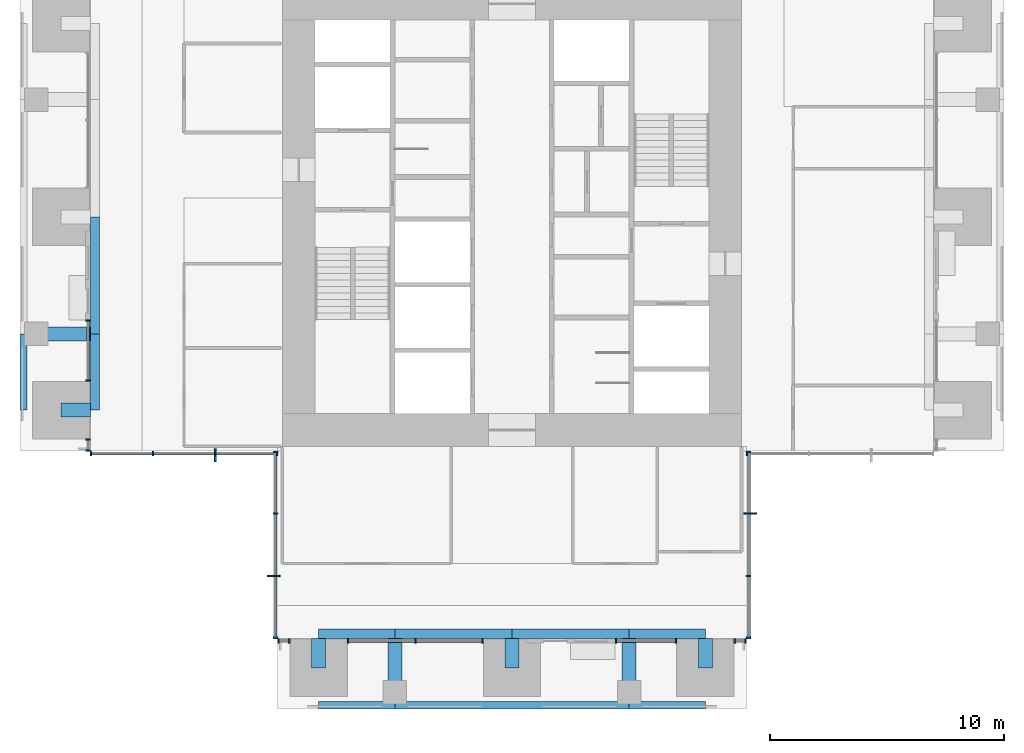
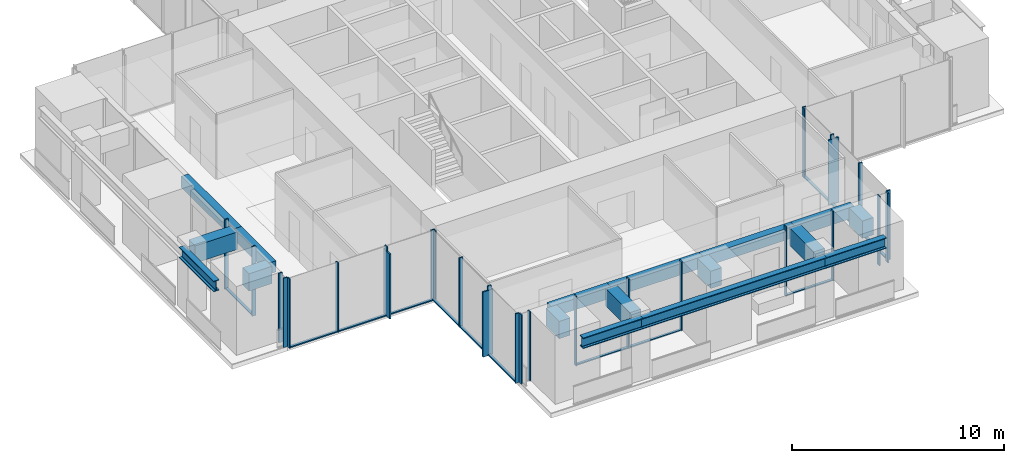
# One storey, part 2 of 17: 42 members, 17 beams, 10 elements without a shape of their own.
"""IFC4 building model written with IfcOpenShell, lengths in metres."""

import ifcopenshell
import ifcopenshell.guid

model = None  # the IFC model being written
_history = None  # IfcOwnerHistory: only IFC2X3 demands one
_inside = {}  # id of a spatial element -> (the spatial element, [elements in it])
_under = {}  # id of a project, library or spatial element -> (it, [spatial elements below it])
_declared = {}  # id of a project -> (the project, [libraries it declares])
_typed = {}  # id of a type object -> (the type object, [elements of that type])
_made_of = {}  # id of a material, layer set ... -> (it, [elements and type objects made of it])


def new_model(schema):
    """Start an empty IFC model of exactly this schema.

    Asked for "IFC4X3", IfcOpenShell would pick the latest addendum, in which some entities
    have other attributes; the version numbers below select the first issue.
    IFC2X3 requires an IfcOwnerHistory on every rooted entity: one is made here for all.
    """
    global model, _history
    if schema == "IFC4X3":
        model = ifcopenshell.file(schema_version=(4, 3, 0, 0))
    else:
        model = ifcopenshell.file(schema=schema)
    _inside.clear()
    _under.clear()
    _declared.clear()
    _typed.clear()
    _made_of.clear()
    _history = None
    if model.schema == "IFC2X3":
        org = make("IfcOrganization", Name="unknown")
        user = make(
            "IfcPersonAndOrganization",
            ThePerson=make("IfcPerson", FamilyName="unknown"),
            TheOrganization=org,
        )
        app = make(
            "IfcApplication",
            ApplicationDeveloper=org,
            Version="unknown",
            ApplicationFullName="unknown",
            ApplicationIdentifier="unknown",
        )
        _history = make(
            "IfcOwnerHistory",
            OwningUser=user,
            OwningApplication=app,
            ChangeAction="ADDED",
            CreationDate=0,
        )
    return model


def make(cls, **values):
    """One entity of the class cls with the attributes given. An attribute that is None is left unset."""
    return model.create_entity(
        cls, **{name: value for name, value in values.items() if value is not None}
    )


def rooted(cls, **values):
    """An entity with a GlobalId (a new one), such as an element, a storey or a relation."""
    return make(cls, GlobalId=ifcopenshell.guid.new(), OwnerHistory=_history, **values)


def si_unit(unit_type, name, prefix=None):
    """IfcSIUnit, for example si_unit("LENGTHUNIT", "METRE", prefix="MILLI")."""
    return make("IfcSIUnit", UnitType=unit_type, Prefix=prefix, Name=name)


def assignment(units):
    """IfcUnitAssignment: the units of a project."""
    return None if units is None else make("IfcUnitAssignment", Units=units)


def point(xyz):
    """IfcCartesianPoint."""
    return None if xyz is None else make("IfcCartesianPoint", Coordinates=xyz)


def direction(xyz):
    """IfcDirection."""
    return None if xyz is None else make("IfcDirection", DirectionRatios=xyz)


def frame(location, z_axis=None, x_axis=None):
    """IfcAxis2Placement3D, a coordinate frame: its origin and axes. An axis left out is left unset."""
    return make(
        "IfcAxis2Placement3D",
        Location=point(location),
        Axis=direction(z_axis),
        RefDirection=direction(x_axis),
    )


def frame_2d(location, x_axis=None):
    """IfcAxis2Placement2D, a coordinate frame in the plane: its origin and x axis."""
    return make(
        "IfcAxis2Placement2D", Location=point(location), RefDirection=direction(x_axis)
    )


def origin():
    """The frame at (0, 0, 0) with its axes left unset."""
    return frame((0.0, 0.0, 0.0))


def origin_2d():
    """The frame at (0, 0) in the plane with its x axis left unset."""
    return frame_2d((0.0, 0.0))


def place(relative_to, where):
    """IfcLocalPlacement: puts the frame where relative to a parent placement (None: the world)."""
    return make(
        "IfcLocalPlacement", PlacementRelTo=relative_to, RelativePlacement=where
    )


def context(
    kind, dimensions, precision=None, world=None, true_north=None, identifier=None
):
    """IfcGeometricRepresentationContext, for example the 3D "Model" context."""
    return make(
        "IfcGeometricRepresentationContext",
        ContextIdentifier=identifier,
        ContextType=kind,
        CoordinateSpaceDimension=dimensions,
        Precision=precision,
        WorldCoordinateSystem=world,
        TrueNorth=true_north,
    )


def subcontext(parent, identifier, kind, view, scale=None):
    """IfcGeometricRepresentationSubContext, for example "Body" below "Model"."""
    return make(
        "IfcGeometricRepresentationSubContext",
        ContextIdentifier=identifier,
        ContextType=kind,
        ParentContext=parent,
        TargetScale=scale,
        TargetView=view,
    )


def project(units=None, contexts=None):
    """IfcProject with its units and contexts."""
    return rooted(
        "IfcProject",
        Name="project",
        RepresentationContexts=contexts,
        UnitsInContext=assignment(units),
    )


def spatial(cls, under=None, at=None, **own):
    """A site, building, storey or space (cls), placed at a placement, below another one or the project."""
    s = rooted(cls, ObjectPlacement=at, **own)
    if under is not None:
        _under.setdefault(under.id(), (under, []))[1].append(s)
    return s


def profile(cls, at=None, kind="AREA", **sizes):
    """A parametric profile (cls). Its sizes go by their IFC names, for example OverallWidth=200.0."""
    return make(cls, ProfileType=kind, Position=at, **sizes)


def rectangle(**sizes):
    """IfcRectangleProfileDef."""
    return profile("IfcRectangleProfileDef", **sizes)


def i_section(**sizes):
    """IfcIShapeProfileDef."""
    return profile("IfcIShapeProfileDef", **sizes)


def extrude(swept, where, along, depth):
    """IfcExtrudedAreaSolid: the profile swept, set in the frame where, extruded along a direction by depth."""
    return make(
        "IfcExtrudedAreaSolid",
        SweptArea=swept,
        Position=where,
        ExtrudedDirection=direction(along),
        Depth=depth,
    )


def shape(context_of_items, identifier, shape_type, items):
    """IfcShapeRepresentation: the items that make up one representation, for example the "Body"."""
    return make(
        "IfcShapeRepresentation",
        ContextOfItems=context_of_items,
        RepresentationIdentifier=identifier,
        RepresentationType=shape_type,
        Items=items,
    )


def material(Name=None, Category=None):
    """IfcMaterial."""
    return make("IfcMaterial", Name=Name, Category=Category)


def material_profile(
    of_material, cross_section, Name=None, Category=None, Priority=None
):
    """IfcMaterialProfile: a cross section and its material."""
    return make(
        "IfcMaterialProfile",
        Name=Name,
        Material=of_material,
        Profile=cross_section,
        Priority=Priority,
        Category=Category,
    )


def profile_set(profiles, Name=None, composite=None):
    """IfcMaterialProfileSet."""
    return make(
        "IfcMaterialProfileSet",
        Name=Name,
        MaterialProfiles=profiles,
        CompositeProfile=composite,
    )


def made_of(thing, what):
    """Note that an element or type object is made of a material, layer set ...; save() writes the relation."""
    if what is not None:
        _made_of.setdefault(what.id(), (what, []))[1].append(thing)
    return thing


def type_object(cls, material=None, **own):
    """A type object (cls), such as IfcWallType, which elements share."""
    return made_of(rooted(cls, **own), material)


def element(
    cls,
    number,
    at=None,
    inside=None,
    cuts=None,
    type_object=None,
    material=None,
    context=None,
    identifier="Body",
    shape_type=None,
    held_by="IfcProductDefinitionShape",
    body=None,
    shapes=None,
    **own,
):
    """One element of the class cls, such as IfcWall. Its Tag is "e" and its number.

    at: its placement. inside: the storey or other place that contains it. cuts: it is an
    opening in that element (IfcRelVoidsElement). A single representation is given by context,
    identifier, shape_type and body (its items); several are given by shapes. held_by: the class
    of the entity that holds the representations. save() writes the other relations.
    """
    e = rooted(cls, Tag="e%d" % number, ObjectPlacement=at, **own)
    if body is not None:
        shapes = [shape(context, identifier, shape_type, body)]
    if shapes is not None:
        e.Representation = make(held_by, Representations=shapes)
    if inside is not None:
        _inside.setdefault(inside.id(), (inside, []))[1].append(e)
    if cuts is not None:
        rooted(
            "IfcRelVoidsElement", RelatingBuildingElement=cuts, RelatedOpeningElement=e
        )
    if type_object is not None:
        _typed.setdefault(type_object.id(), (type_object, []))[1].append(e)
    return made_of(e, material)


def aggregate(whole, parts):
    """IfcRelAggregates: a whole, such as a stair, and the parts it consists of."""
    return rooted("IfcRelAggregates", RelatingObject=whole, RelatedObjects=parts)


def save(model, path):
    """Write the relations noted so far, then the file.

    IfcRelAggregates (storeys below a building ...), IfcRelContainedInSpatialStructure (elements
    in a storey), IfcRelDefinesByType, IfcRelAssociatesMaterial and IfcRelDeclares: one each for
    every whole, place, type object, material and project.
    """
    for whole, parts in _under.values():
        aggregate(whole, parts)
    for where, things in _inside.values():
        rooted(
            "IfcRelContainedInSpatialStructure",
            RelatedElements=things,
            RelatingStructure=where,
        )
    for kind, things in _typed.values():
        rooted("IfcRelDefinesByType", RelatedObjects=things, RelatingType=kind)
    for what, things in _made_of.values():
        rooted("IfcRelAssociatesMaterial", RelatedObjects=things, RelatingMaterial=what)
    for by, libraries in _declared.values():
        rooted("IfcRelDeclares", RelatingContext=by, RelatedDefinitions=libraries)
    model.write(path)


model = new_model("IFC4")

# Units and contexts
model_context = context("Model", 3, precision=1e-05, world=origin(), true_north=direction((0.0, 1.0)))
body_context = subcontext(model_context, "Body", "Model", "MODEL_VIEW")
ifc_project = project(units=[si_unit("LENGTHUNIT", "METRE"), si_unit("AREAUNIT", "SQUARE_METRE"), si_unit("VOLUMEUNIT", "CUBIC_METRE"), si_unit("PLANEANGLEUNIT", "RADIAN"), si_unit("MASSUNIT", "GRAM", prefix="KILO")], contexts=[model_context])

# Site, building, storey
site_placement = place(None, origin())
site = spatial("IfcSite", under=ifc_project, at=site_placement, CompositionType="ELEMENT")
building_placement = place(site_placement, origin())
building = spatial("IfcBuilding", under=site, at=building_placement, Name="Svetlomir Tower", CompositionType="ELEMENT")
storey_placement = place(building_placement, frame((0.0, 0.0, 178.5)))
storey = spatial("IfcBuildingStorey", under=building, at=storey_placement, Name="L42", CompositionType="ELEMENT", Elevation=178.5)

# Curtain wall, member
ifc_material_1 = material(Name="Bronze anodised aluminium curtain wall", Category="aluminium")
curtain_wall_type = type_object("IfcCurtainWallType", Name="CURTAIN WALL CW1 TOWER OFFICE", PredefinedType="NOTDEFINED", material=ifc_material_1)
curtain_wall_1_placement = place(storey_placement, origin())
curtain_wall_1 = element("IfcCurtainWall", 1, at=curtain_wall_1_placement, inside=storey, type_object=curtain_wall_type, Name="Curtain wall CW1 L42", PredefinedType="NOTDEFINED")
ifc_material_2 = material(Name="Bronze anodised aluminium", Category="aluminium")
ifc_material_profile_1 = material_profile(ifc_material_2, rectangle(XDim=0.080078125, YDim=0.550048828125, at=origin_2d()), Name="FIN 80x550")
ifc_profile_set_1 = profile_set([ifc_material_profile_1], Name="Bronze anodised aluminium 6063-T6")
member_type_1 = type_object("IfcMemberType", Name="BRONZE FIN 80x550", PredefinedType="USERDEFINED", material=ifc_profile_set_1)
member_1_placement = place(storey_placement, frame((31.175048828125, 8.333251953125, 0.0), z_axis=(0.0, 0.0, 1.0), x_axis=(0.0, 1.0, 0.0)))
member_1 = element("IfcMember", 2, at=member_1_placement, type_object=member_type_1, Name="Bronze fin L42", ObjectType="FIN", PredefinedType="USERDEFINED", context=body_context, shape_type="SweptSolid", body=[
    extrude(rectangle(XDim=0.080078125, YDim=0.550048828125, at=origin_2d()), origin(), (0.0, 0.0, 1.0), 3.75),
])

curtain_wall_2_placement = place(storey_placement, origin())
curtain_wall_2 = element("IfcCurtainWall", 3, at=curtain_wall_2_placement, inside=storey, type_object=curtain_wall_type, Name="Curtain wall CW1 L42", PredefinedType="NOTDEFINED")
member_2_placement = place(storey_placement, frame((8.333251953125, 10.824951171875, 0.0), z_axis=(0.0, 0.0, 1.0), x_axis=(1.0, 0.0, 0.0)))
member_2 = element("IfcMember", 4, at=member_2_placement, type_object=member_type_1, Name="Bronze fin L42", ObjectType="FIN", PredefinedType="USERDEFINED", context=body_context, shape_type="SweptSolid", body=[
    extrude(rectangle(XDim=0.080078125, YDim=0.550048828125, at=origin_2d()), origin(), (0.0, 0.0, 1.0), 3.75),
])

curtain_wall_3_placement = place(storey_placement, origin())
curtain_wall_3 = element("IfcCurtainWall", 5, at=curtain_wall_3_placement, inside=storey, type_object=curtain_wall_type, Name="Curtain wall CW1 L42", PredefinedType="NOTDEFINED")
member_3_placement = place(storey_placement, frame((10.824951171875, 5.666748046875, 0.0), z_axis=(0.0, 0.0, 1.0), x_axis=(0.0, 1.0, 0.0)))
member_3 = element("IfcMember", 6, at=member_3_placement, type_object=member_type_1, Name="Bronze fin L42", ObjectType="FIN", PredefinedType="USERDEFINED", context=body_context, shape_type="SweptSolid", body=[
    extrude(rectangle(XDim=0.080078125, YDim=0.550048828125, at=origin_2d()), origin(), (0.0, 0.0, 1.0), 3.75),
])

# Curtain wall, members
curtain_wall_4_placement = place(storey_placement, origin())
curtain_wall_4 = element("IfcCurtainWall", 7, at=curtain_wall_4_placement, inside=storey, type_object=curtain_wall_type, Name="Curtain wall CW1 L42", PredefinedType="NOTDEFINED")
ifc_material_3 = material(Name="Bronze anodised aluminium", Category="aluminium")
ifc_material_profile_2 = material_profile(ifc_material_3, rectangle(XDim=0.06494140625, YDim=0.199951171875, at=origin_2d()), Name="AL 65x200")
ifc_profile_set_2 = profile_set([ifc_material_profile_2], Name="Bronze anodised aluminium 6063-T6")
member_type_2 = type_object("IfcMemberType", Name="CW1 MULLION 65x200", PredefinedType="MULLION", material=ifc_profile_set_2)
member_4_placement = place(storey_placement, frame((11.032470703125, 2.89990234375, 0.0), z_axis=(0.0, 0.0, 1.0), x_axis=(1.0, 0.0, 0.0)))
member_4 = element("IfcMember", 8, at=member_4_placement, type_object=member_type_2, Name="CW1 mullion 1", PredefinedType="MULLION", context=body_context, shape_type="SweptSolid", body=[
    extrude(rectangle(XDim=0.06494140625, YDim=0.199951171875, at=origin_2d()), origin(), (0.0, 0.0, 1.0), 4.0),
])
member_5_placement = place(storey_placement, frame((11.492431640625, 2.89990234375, 0.0), z_axis=(0.0, 0.0, 1.0), x_axis=(1.0, 0.0, 0.0)))
member_5 = element("IfcMember", 9, at=member_5_placement, type_object=member_type_2, Name="CW1 mullion 2", PredefinedType="MULLION", context=body_context, shape_type="SweptSolid", body=[
    extrude(rectangle(XDim=0.06494140625, YDim=0.199951171875, at=origin_2d()), origin(), (0.0, 0.0, 1.0), 4.0),
])
aggregate(curtain_wall_4, [member_4, member_5])

curtain_wall_5_placement = place(storey_placement, origin())
curtain_wall_5 = element("IfcCurtainWall", 10, at=curtain_wall_5_placement, inside=storey, type_object=curtain_wall_type, Name="Curtain wall CW1 L42", PredefinedType="NOTDEFINED")
member_6_placement = place(storey_placement, frame((14.007568359375, 2.89990234375, 0.0), z_axis=(0.0, 0.0, 1.0), x_axis=(1.0, 0.0, 0.0)))
member_6 = element("IfcMember", 11, at=member_6_placement, type_object=member_type_2, Name="CW1 mullion 1", PredefinedType="MULLION", context=body_context, shape_type="SweptSolid", body=[
    extrude(rectangle(XDim=0.06494140625, YDim=0.199951171875, at=origin_2d()), origin(), (0.0, 0.0, 1.0), 4.0),
])
member_7_placement = place(storey_placement, frame((16.875, 2.89990234375, 0.0), z_axis=(0.0, 0.0, 1.0), x_axis=(1.0, 0.0, 0.0)))
member_7 = element("IfcMember", 12, at=member_7_placement, type_object=member_type_2, Name="CW1 mullion 2", PredefinedType="MULLION", context=body_context, shape_type="SweptSolid", body=[
    extrude(rectangle(XDim=0.06494140625, YDim=0.199951171875, at=origin_2d()), origin(), (0.0, 0.0, 1.0), 4.0),
])
member_8_placement = place(storey_placement, frame((19.742431640625, 2.89990234375, 0.0), z_axis=(0.0, 0.0, 1.0), x_axis=(1.0, 0.0, 0.0)))
member_8 = element("IfcMember", 13, at=member_8_placement, type_object=member_type_2, Name="CW1 mullion 3", PredefinedType="MULLION", context=body_context, shape_type="SweptSolid", body=[
    extrude(rectangle(XDim=0.06494140625, YDim=0.199951171875, at=origin_2d()), origin(), (0.0, 0.0, 1.0), 4.0),
])

curtain_wall_6_placement = place(storey_placement, origin())
curtain_wall_6 = element("IfcCurtainWall", 14, at=curtain_wall_6_placement, inside=storey, type_object=curtain_wall_type, Name="Curtain wall CW1 L42", PredefinedType="NOTDEFINED")
member_9_placement = place(storey_placement, frame((25.4326171875, 2.89990234375, 0.0), z_axis=(0.0, 0.0, 1.0), x_axis=(1.0, 0.0, 0.0)))
member_9 = element("IfcMember", 15, at=member_9_placement, type_object=member_type_2, Name="CW1 mullion 1", PredefinedType="MULLION", context=body_context, shape_type="SweptSolid", body=[
    extrude(rectangle(XDim=0.06494140625, YDim=0.199951171875, at=origin_2d()), origin(), (0.0, 0.0, 1.0), 4.0),
])
member_10_placement = place(storey_placement, frame((27.992431640625, 2.89990234375, 0.0), z_axis=(0.0, 0.0, 1.0), x_axis=(1.0, 0.0, 0.0)))
member_10 = element("IfcMember", 16, at=member_10_placement, type_object=member_type_2, Name="CW1 mullion 2", PredefinedType="MULLION", context=body_context, shape_type="SweptSolid", body=[
    extrude(rectangle(XDim=0.06494140625, YDim=0.199951171875, at=origin_2d()), origin(), (0.0, 0.0, 1.0), 4.0),
])

curtain_wall_7_placement = place(storey_placement, origin())
curtain_wall_7 = element("IfcCurtainWall", 17, at=curtain_wall_7_placement, inside=storey, type_object=curtain_wall_type, Name="Curtain wall CW1 L42", PredefinedType="NOTDEFINED")
member_11_placement = place(storey_placement, frame((30.507568359375, 2.89990234375, 0.0), z_axis=(0.0, 0.0, 1.0), x_axis=(1.0, 0.0, 0.0)))
member_11 = element("IfcMember", 18, at=member_11_placement, type_object=member_type_2, Name="CW1 mullion 1", PredefinedType="MULLION", context=body_context, shape_type="SweptSolid", body=[
    extrude(rectangle(XDim=0.06494140625, YDim=0.199951171875, at=origin_2d()), origin(), (0.0, 0.0, 1.0), 4.0),
])
member_12_placement = place(storey_placement, frame((30.967529296875, 2.89990234375, 0.0), z_axis=(0.0, 0.0, 1.0), x_axis=(1.0, 0.0, 0.0)))
member_12 = element("IfcMember", 19, at=member_12_placement, type_object=member_type_2, Name="CW1 mullion 2", PredefinedType="MULLION", context=body_context, shape_type="SweptSolid", body=[
    extrude(rectangle(XDim=0.06494140625, YDim=0.199951171875, at=origin_2d()), origin(), (0.0, 0.0, 1.0), 4.0),
])
aggregate(curtain_wall_7, [member_11, member_12])

# Member
member_13_placement = place(storey_placement, frame((31.10009765625, 3.032470703125, 0.0), z_axis=(0.0, 0.0, 1.0), x_axis=(0.0, 1.0, 0.0)))
member_13 = element("IfcMember", 20, at=member_13_placement, type_object=member_type_2, Name="CW1 mullion 1", PredefinedType="MULLION", context=body_context, shape_type="SweptSolid", body=[
    extrude(rectangle(XDim=0.06494140625, YDim=0.199951171875, at=origin_2d()), origin(), (0.0, 0.0, 1.0), 4.0),
])

member_14_placement = place(storey_placement, frame((31.10009765625, 5.666748046875, 0.0), z_axis=(0.0, 0.0, 1.0), x_axis=(0.0, 1.0, 0.0)))
member_14 = element("IfcMember", 21, at=member_14_placement, type_object=member_type_2, Name="CW1 mullion 2", PredefinedType="MULLION", context=body_context, shape_type="SweptSolid", body=[
    extrude(rectangle(XDim=0.06494140625, YDim=0.199951171875, at=origin_2d()), origin(), (0.0, 0.0, 1.0), 4.0),
])

member_15_placement = place(storey_placement, frame((31.10009765625, 8.333251953125, 0.0), z_axis=(0.0, 0.0, 1.0), x_axis=(0.0, 1.0, 0.0)))
member_15 = element("IfcMember", 22, at=member_15_placement, type_object=member_type_2, Name="CW1 mullion 3", PredefinedType="MULLION", context=body_context, shape_type="SweptSolid", body=[
    extrude(rectangle(XDim=0.06494140625, YDim=0.199951171875, at=origin_2d()), origin(), (0.0, 0.0, 1.0), 4.0),
])

member_16_placement = place(storey_placement, frame((31.10009765625, 10.967529296875, 0.0), z_axis=(0.0, 0.0, 1.0), x_axis=(0.0, 1.0, 0.0)))
member_16 = element("IfcMember", 23, at=member_16_placement, type_object=member_type_2, Name="CW1 mullion 4", PredefinedType="MULLION", context=body_context, shape_type="SweptSolid", body=[
    extrude(rectangle(XDim=0.06494140625, YDim=0.199951171875, at=origin_2d()), origin(), (0.0, 0.0, 1.0), 4.0),
])

# Curtain wall, member
curtain_wall_8_placement = place(storey_placement, origin())
curtain_wall_8 = element("IfcCurtainWall", 24, at=curtain_wall_8_placement, inside=storey, type_object=curtain_wall_type, Name="Curtain wall CW1 L42", PredefinedType="NOTDEFINED")
member_17_placement = place(storey_placement, frame((31.032470703125, 10.89990234375, 0.0), z_axis=(0.0, 0.0, 1.0), x_axis=(1.0, 0.0, 0.0)))
member_17 = element("IfcMember", 25, at=member_17_placement, type_object=member_type_2, Name="CW1 mullion 1", PredefinedType="MULLION", context=body_context, shape_type="SweptSolid", body=[
    extrude(rectangle(XDim=0.06494140625, YDim=0.199951171875, at=origin_2d()), origin(), (0.0, 0.0, 1.0), 4.0),
])
aggregate(curtain_wall_8, [member_17])

# Curtain wall, members
curtain_wall_9_placement = place(storey_placement, origin())
curtain_wall_9 = element("IfcCurtainWall", 26, at=curtain_wall_9_placement, inside=storey, type_object=curtain_wall_type, Name="Curtain wall CW1 L42", PredefinedType="NOTDEFINED")
member_18_placement = place(storey_placement, frame((2.89990234375, 16.5673828125, 0.0), z_axis=(0.0, 0.0, 1.0), x_axis=(0.0, -1.0, 0.0)))
member_18 = element("IfcMember", 27, at=member_18_placement, type_object=member_type_2, Name="CW1 mullion 1", PredefinedType="MULLION", context=body_context, shape_type="SweptSolid", body=[
    extrude(rectangle(XDim=0.06494140625, YDim=0.199951171875, at=origin_2d()), origin(), (0.0, 0.0, 1.0), 4.0),
])
member_19_placement = place(storey_placement, frame((2.89990234375, 14.007568359375, 0.0), z_axis=(0.0, 0.0, 1.0), x_axis=(0.0, -1.0, 0.0)))
member_19 = element("IfcMember", 28, at=member_19_placement, type_object=member_type_2, Name="CW1 mullion 2", PredefinedType="MULLION", context=body_context, shape_type="SweptSolid", body=[
    extrude(rectangle(XDim=0.06494140625, YDim=0.199951171875, at=origin_2d()), origin(), (0.0, 0.0, 1.0), 4.0),
])

curtain_wall_10_placement = place(storey_placement, origin())
curtain_wall_10 = element("IfcCurtainWall", 29, at=curtain_wall_10_placement, inside=storey, type_object=curtain_wall_type, Name="Curtain wall CW1 L42", PredefinedType="NOTDEFINED")
member_20_placement = place(storey_placement, frame((2.89990234375, 11.492431640625, 0.0), z_axis=(0.0, 0.0, 1.0), x_axis=(0.0, -1.0, 0.0)))
member_20 = element("IfcMember", 30, at=member_20_placement, type_object=member_type_2, Name="CW1 mullion 1", PredefinedType="MULLION", context=body_context, shape_type="SweptSolid", body=[
    extrude(rectangle(XDim=0.06494140625, YDim=0.199951171875, at=origin_2d()), origin(), (0.0, 0.0, 1.0), 4.0),
])
member_21_placement = place(storey_placement, frame((2.89990234375, 11.032470703125, 0.0), z_axis=(0.0, 0.0, 1.0), x_axis=(0.0, -1.0, 0.0)))
member_21 = element("IfcMember", 31, at=member_21_placement, type_object=member_type_2, Name="CW1 mullion 2", PredefinedType="MULLION", context=body_context, shape_type="SweptSolid", body=[
    extrude(rectangle(XDim=0.06494140625, YDim=0.199951171875, at=origin_2d()), origin(), (0.0, 0.0, 1.0), 4.0),
])
aggregate(curtain_wall_10, [member_20, member_21])

# Member
member_22_placement = place(storey_placement, frame((3.032470703125, 10.89990234375, 0.0), z_axis=(0.0, 0.0, 1.0), x_axis=(1.0, 0.0, 0.0)))
member_22 = element("IfcMember", 32, at=member_22_placement, type_object=member_type_2, Name="CW1 mullion 1", PredefinedType="MULLION", context=body_context, shape_type="SweptSolid", body=[
    extrude(rectangle(XDim=0.06494140625, YDim=0.199951171875, at=origin_2d()), origin(), (0.0, 0.0, 1.0), 4.0),
])

member_23_placement = place(storey_placement, frame((5.666748046875, 10.89990234375, 0.0), z_axis=(0.0, 0.0, 1.0), x_axis=(1.0, 0.0, 0.0)))
member_23 = element("IfcMember", 33, at=member_23_placement, type_object=member_type_2, Name="CW1 mullion 2", PredefinedType="MULLION", context=body_context, shape_type="SweptSolid", body=[
    extrude(rectangle(XDim=0.06494140625, YDim=0.199951171875, at=origin_2d()), origin(), (0.0, 0.0, 1.0), 4.0),
])

member_24_placement = place(storey_placement, frame((8.333251953125, 10.89990234375, 0.0), z_axis=(0.0, 0.0, 1.0), x_axis=(1.0, 0.0, 0.0)))
member_24 = element("IfcMember", 34, at=member_24_placement, type_object=member_type_2, Name="CW1 mullion 3", PredefinedType="MULLION", context=body_context, shape_type="SweptSolid", body=[
    extrude(rectangle(XDim=0.06494140625, YDim=0.199951171875, at=origin_2d()), origin(), (0.0, 0.0, 1.0), 4.0),
])

member_25_placement = place(storey_placement, frame((10.967529296875, 10.89990234375, 0.0), z_axis=(0.0, 0.0, 1.0), x_axis=(1.0, 0.0, 0.0)))
member_25 = element("IfcMember", 35, at=member_25_placement, type_object=member_type_2, Name="CW1 mullion 4", PredefinedType="MULLION", context=body_context, shape_type="SweptSolid", body=[
    extrude(rectangle(XDim=0.06494140625, YDim=0.199951171875, at=origin_2d()), origin(), (0.0, 0.0, 1.0), 4.0),
])

member_26_placement = place(storey_placement, frame((10.89990234375, 10.967529296875, 0.0), z_axis=(0.0, 0.0, 1.0), x_axis=(0.0, -1.0, 0.0)))
member_26 = element("IfcMember", 36, at=member_26_placement, type_object=member_type_2, Name="CW1 mullion 1", PredefinedType="MULLION", context=body_context, shape_type="SweptSolid", body=[
    extrude(rectangle(XDim=0.06494140625, YDim=0.199951171875, at=origin_2d()), origin(), (0.0, 0.0, 1.0), 4.0),
])

member_27_placement = place(storey_placement, frame((10.89990234375, 8.333251953125, 0.0), z_axis=(0.0, 0.0, 1.0), x_axis=(0.0, -1.0, 0.0)))
member_27 = element("IfcMember", 37, at=member_27_placement, type_object=member_type_2, Name="CW1 mullion 2", PredefinedType="MULLION", context=body_context, shape_type="SweptSolid", body=[
    extrude(rectangle(XDim=0.06494140625, YDim=0.199951171875, at=origin_2d()), origin(), (0.0, 0.0, 1.0), 4.0),
])

member_28_placement = place(storey_placement, frame((10.89990234375, 5.666748046875, 0.0), z_axis=(0.0, 0.0, 1.0), x_axis=(0.0, -1.0, 0.0)))
member_28 = element("IfcMember", 38, at=member_28_placement, type_object=member_type_2, Name="CW1 mullion 3", PredefinedType="MULLION", context=body_context, shape_type="SweptSolid", body=[
    extrude(rectangle(XDim=0.06494140625, YDim=0.199951171875, at=origin_2d()), origin(), (0.0, 0.0, 1.0), 4.0),
])

member_29_placement = place(storey_placement, frame((10.89990234375, 3.032470703125, 0.0), z_axis=(0.0, 0.0, 1.0), x_axis=(0.0, -1.0, 0.0)))
member_29 = element("IfcMember", 39, at=member_29_placement, type_object=member_type_2, Name="CW1 mullion 4", PredefinedType="MULLION", context=body_context, shape_type="SweptSolid", body=[
    extrude(rectangle(XDim=0.06494140625, YDim=0.199951171875, at=origin_2d()), origin(), (0.0, 0.0, 1.0), 4.0),
])

ifc_material_4 = material(Name="Bronze anodised aluminium", Category="aluminium")
ifc_material_profile_3 = material_profile(ifc_material_4, rectangle(XDim=0.139892578125, YDim=0.06494140625, at=origin_2d()), Name="AL 140x65")
ifc_profile_set_3 = profile_set([ifc_material_profile_3], Name="Bronze anodised aluminium 6063-T6")
member_type_3 = type_object("IfcMemberType", Name="CW1 TRANSOM 65x140", PredefinedType="USERDEFINED", material=ifc_profile_set_3)
member_30_placement = place(storey_placement, frame((14.0400390625, 2.89990234375, 0.032470703125), z_axis=(1.0, 0.0, 0.0), x_axis=(0.0, 1.0, 0.0)))
member_30 = element("IfcMember", 40, at=member_30_placement, type_object=member_type_3, Name="CW1 transom 1.1", ObjectType="TRANSOM", PredefinedType="USERDEFINED", context=body_context, shape_type="SweptSolid", body=[
    extrude(rectangle(XDim=0.139892578125, YDim=0.06494140625, at=origin_2d()), origin(), (0.0, 0.0, 1.0), 2.802490234375),
])

member_31_placement = place(storey_placement, frame((16.907470703125, 2.89990234375, 0.032470703125), z_axis=(1.0, 0.0, 0.0), x_axis=(0.0, 1.0, 0.0)))
member_31 = element("IfcMember", 41, at=member_31_placement, type_object=member_type_3, Name="CW1 transom 2.1", ObjectType="TRANSOM", PredefinedType="USERDEFINED", context=body_context, shape_type="SweptSolid", body=[
    extrude(rectangle(XDim=0.139892578125, YDim=0.06494140625, at=origin_2d()), origin(), (0.0, 0.0, 1.0), 2.802490234375),
])

aggregate(curtain_wall_5, [member_6, member_7, member_8, member_30, member_31])

member_32_placement = place(storey_placement, frame((25.465087890625, 2.89990234375, 0.032470703125), z_axis=(1.0, 0.0, 0.0), x_axis=(0.0, 1.0, 0.0)))
member_32 = element("IfcMember", 42, at=member_32_placement, type_object=member_type_3, Name="CW1 transom 1.1", ObjectType="TRANSOM", PredefinedType="USERDEFINED", context=body_context, shape_type="SweptSolid", body=[
    extrude(rectangle(XDim=0.139892578125, YDim=0.06494140625, at=origin_2d()), origin(), (0.0, 0.0, 1.0), 2.494873046875),
])

aggregate(curtain_wall_6, [member_9, member_10, member_32])

member_33_placement = place(storey_placement, frame((31.10009765625, 3.06494140625, 0.032470703125), z_axis=(0.0, 1.0, 0.0), x_axis=(-1.0, 0.0, 0.0)))
member_33 = element("IfcMember", 43, at=member_33_placement, type_object=member_type_3, Name="CW1 transom 1.1", ObjectType="TRANSOM", PredefinedType="USERDEFINED", context=body_context, shape_type="SweptSolid", body=[
    extrude(rectangle(XDim=0.139892578125, YDim=0.06494140625, at=origin_2d()), origin(), (0.0, 0.0, 1.0), 2.5693359375),
])

member_34_placement = place(storey_placement, frame((31.10009765625, 5.69921875, 0.032470703125), z_axis=(0.0, 1.0, 0.0), x_axis=(-1.0, 0.0, 0.0)))
member_34 = element("IfcMember", 44, at=member_34_placement, type_object=member_type_3, Name="CW1 transom 2.1", ObjectType="TRANSOM", PredefinedType="USERDEFINED", context=body_context, shape_type="SweptSolid", body=[
    extrude(rectangle(XDim=0.139892578125, YDim=0.06494140625, at=origin_2d()), origin(), (0.0, 0.0, 1.0), 2.6015625),
])

member_35_placement = place(storey_placement, frame((31.10009765625, 8.36572265625, 0.032470703125), z_axis=(0.0, 1.0, 0.0), x_axis=(-1.0, 0.0, 0.0)))
member_35 = element("IfcMember", 45, at=member_35_placement, type_object=member_type_3, Name="CW1 transom 3.1", ObjectType="TRANSOM", PredefinedType="USERDEFINED", context=body_context, shape_type="SweptSolid", body=[
    extrude(rectangle(XDim=0.139892578125, YDim=0.06494140625, at=origin_2d()), origin(), (0.0, 0.0, 1.0), 2.5693359375),
])

aggregate(curtain_wall_1, [member_13, member_14, member_15, member_16, member_33, member_34, member_35, member_1])

member_36_placement = place(storey_placement, frame((2.89990234375, 16.534912109375, 0.032470703125), z_axis=(0.0, -1.0, 0.0), x_axis=(1.0, 0.0, 0.0)))
member_36 = element("IfcMember", 46, at=member_36_placement, type_object=member_type_3, Name="CW1 transom 1.1", ObjectType="TRANSOM", PredefinedType="USERDEFINED", context=body_context, shape_type="SweptSolid", body=[
    extrude(rectangle(XDim=0.139892578125, YDim=0.06494140625, at=origin_2d()), origin(), (0.0, 0.0, 1.0), 2.494873046875),
])

aggregate(curtain_wall_9, [member_18, member_19, member_36])

member_37_placement = place(storey_placement, frame((3.06494140625, 10.89990234375, 0.032470703125), z_axis=(1.0, 0.0, 0.0), x_axis=(0.0, 1.0, 0.0)))
member_37 = element("IfcMember", 47, at=member_37_placement, type_object=member_type_3, Name="CW1 transom 1.1", ObjectType="TRANSOM", PredefinedType="USERDEFINED", context=body_context, shape_type="SweptSolid", body=[
    extrude(rectangle(XDim=0.139892578125, YDim=0.06494140625, at=origin_2d()), origin(), (0.0, 0.0, 1.0), 2.5693359375),
])

member_38_placement = place(storey_placement, frame((5.69921875, 10.89990234375, 0.032470703125), z_axis=(1.0, 0.0, 0.0), x_axis=(0.0, 1.0, 0.0)))
member_38 = element("IfcMember", 48, at=member_38_placement, type_object=member_type_3, Name="CW1 transom 2.1", ObjectType="TRANSOM", PredefinedType="USERDEFINED", context=body_context, shape_type="SweptSolid", body=[
    extrude(rectangle(XDim=0.139892578125, YDim=0.06494140625, at=origin_2d()), origin(), (0.0, 0.0, 1.0), 2.6015625),
])

member_39_placement = place(storey_placement, frame((8.36572265625, 10.89990234375, 0.032470703125), z_axis=(1.0, 0.0, 0.0), x_axis=(0.0, 1.0, 0.0)))
member_39 = element("IfcMember", 49, at=member_39_placement, type_object=member_type_3, Name="CW1 transom 3.1", ObjectType="TRANSOM", PredefinedType="USERDEFINED", context=body_context, shape_type="SweptSolid", body=[
    extrude(rectangle(XDim=0.139892578125, YDim=0.06494140625, at=origin_2d()), origin(), (0.0, 0.0, 1.0), 2.5693359375),
])

aggregate(curtain_wall_2, [member_22, member_23, member_24, member_25, member_37, member_38, member_39, member_2])

member_40_placement = place(storey_placement, frame((10.89990234375, 10.93505859375, 0.032470703125), z_axis=(0.0, -1.0, 0.0), x_axis=(1.0, 0.0, 0.0)))
member_40 = element("IfcMember", 50, at=member_40_placement, type_object=member_type_3, Name="CW1 transom 1.1", ObjectType="TRANSOM", PredefinedType="USERDEFINED", context=body_context, shape_type="SweptSolid", body=[
    extrude(rectangle(XDim=0.139892578125, YDim=0.06494140625, at=origin_2d()), origin(), (0.0, 0.0, 1.0), 2.5693359375),
])

member_41_placement = place(storey_placement, frame((10.89990234375, 8.30078125, 0.032470703125), z_axis=(0.0, -1.0, 0.0), x_axis=(1.0, 0.0, 0.0)))
member_41 = element("IfcMember", 51, at=member_41_placement, type_object=member_type_3, Name="CW1 transom 2.1", ObjectType="TRANSOM", PredefinedType="USERDEFINED", context=body_context, shape_type="SweptSolid", body=[
    extrude(rectangle(XDim=0.139892578125, YDim=0.06494140625, at=origin_2d()), origin(), (0.0, 0.0, 1.0), 2.6015625),
])

member_42_placement = place(storey_placement, frame((10.89990234375, 5.63427734375, 0.032470703125), z_axis=(0.0, -1.0, 0.0), x_axis=(1.0, 0.0, 0.0)))
member_42 = element("IfcMember", 52, at=member_42_placement, type_object=member_type_3, Name="CW1 transom 3.1", ObjectType="TRANSOM", PredefinedType="USERDEFINED", context=body_context, shape_type="SweptSolid", body=[
    extrude(rectangle(XDim=0.139892578125, YDim=0.06494140625, at=origin_2d()), origin(), (0.0, 0.0, 1.0), 2.5693359375),
])

aggregate(curtain_wall_3, [member_26, member_27, member_28, member_29, member_40, member_41, member_42, member_3])

# Beams
ifc_material_5 = material(Name="Steel S355", Category="steel")
ifc_material_profile_4 = material_profile(ifc_material_5, i_section(OverallWidth=0.304931640625, OverallDepth=0.6201171875, WebThickness=0.02099609375, FlangeThickness=0.0400390625, FilletRadius=0.027099609375, at=origin_2d()), Name="HEM 600")
ifc_profile_set_4 = profile_set([ifc_material_profile_4], Name="Steel S355")
beam_type_1 = type_object("IfcBeamType", Name="EDGE BEAM HEM 600", PredefinedType="SPANDREL", material=ifc_profile_set_4)
for number, where, z_axis, x_axis, name in (
    (53, (12.75, 0.152587890625, 3.43994140625), (1.0, 0.0, 0.0), (0.0, 1.0, 0.0), "Edge beam 11/0 to 16/0 under L43"),
    (54, (0.152587890625, 12.75, 3.43994140625), (0.0, 1.0, 0.0), (-1.0, 0.0, 0.0), "Edge beam 0/11 to 0/16 under L43"),
):
    element("IfcBeam", number, at=place(storey_placement, frame(where, z_axis=z_axis, x_axis=x_axis)), inside=storey, type_object=beam_type_1, Name=name, PredefinedType="SPANDREL", context=body_context, shape_type="SweptSolid", body=[
        extrude(i_section(OverallWidth=0.304931640625, OverallDepth=0.6201171875, WebThickness=0.02099609375, FlangeThickness=0.0400390625, FilletRadius=0.027099609375, at=origin_2d()), origin(), (0.0, 0.0, 1.0), 3.25),
    ])
beam_1_placement = place(storey_placement, frame((16.0, 0.152587890625, 3.43994140625), z_axis=(1.0, 0.0, 0.0), x_axis=(0.0, 1.0, 0.0)))
element("IfcBeam", 55, at=beam_1_placement, inside=storey, type_object=beam_type_1, Name="Edge beam 16/0 to 26/0 under L43", PredefinedType="SPANDREL", context=body_context, shape_type="SweptSolid", body=[
    extrude(i_section(OverallWidth=0.304931640625, OverallDepth=0.6201171875, WebThickness=0.02099609375, FlangeThickness=0.0400390625, FilletRadius=0.027099609375, at=origin_2d()), origin(), (0.0, 0.0, 1.0), 10.0),
])
beam_2_placement = place(storey_placement, frame((26.0, 0.152587890625, 3.43994140625), z_axis=(1.0, 0.0, 0.0), x_axis=(0.0, 1.0, 0.0)))
element("IfcBeam", 56, at=beam_2_placement, inside=storey, type_object=beam_type_1, Name="Edge beam 26/0 to 31/0 under L43", PredefinedType="SPANDREL", context=body_context, shape_type="SweptSolid", body=[
    extrude(i_section(OverallWidth=0.304931640625, OverallDepth=0.6201171875, WebThickness=0.02099609375, FlangeThickness=0.0400390625, FilletRadius=0.027099609375, at=origin_2d()), origin(), (0.0, 0.0, 1.0), 3.25),
])
ifc_material_6 = material(Name="Concrete C60/75", Category="concrete")
ifc_material_profile_5 = material_profile(ifc_material_6, rectangle(XDim=0.39990234375, YDim=0.64990234375, at=origin_2d()), Name="RC 400x650")
ifc_profile_set_5 = profile_set([ifc_material_profile_5], Name="Concrete C60/75")
beam_type_2 = type_object("IfcBeamType", Name="FACADE EDGE BEAM RC 400x650", PredefinedType="BEAM", material=ifc_profile_set_5)
beam_3_placement = place(storey_placement, frame((12.75, 3.199951171875, 3.425048828125), z_axis=(1.0, 0.0, 0.0), x_axis=(0.0, 1.0, 0.0)))
element("IfcBeam", 57, at=beam_3_placement, inside=storey, type_object=beam_type_2, Name="Facade edge beam S 11 to 16 under L43", PredefinedType="BEAM", context=body_context, shape_type="SweptSolid", body=[
    extrude(rectangle(XDim=0.39990234375, YDim=0.64990234375, at=origin_2d()), origin(), (0.0, 0.0, 1.0), 3.25),
])
for number, where, z_axis, x_axis, name in (
    (58, (16.0, 3.199951171875, 3.425048828125), (1.0, 0.0, 0.0), (0.0, 1.0, 0.0), "Facade edge beam S 16 to 21 under L43"),
    (59, (21.0, 3.199951171875, 3.425048828125), (1.0, 0.0, 0.0), (0.0, 1.0, 0.0), "Facade edge beam S 21 to 26 under L43"),
):
    element("IfcBeam", number, at=place(storey_placement, frame(where, z_axis=z_axis, x_axis=x_axis)), inside=storey, type_object=beam_type_2, Name=name, PredefinedType="BEAM", context=body_context, shape_type="SweptSolid", body=[
        extrude(rectangle(XDim=0.39990234375, YDim=0.64990234375, at=origin_2d()), origin(), (0.0, 0.0, 1.0), 5.0),
    ])
for number, where, z_axis, x_axis, name in (
    (60, (26.0, 3.199951171875, 3.425048828125), (1.0, 0.0, 0.0), (0.0, 1.0, 0.0), "Facade edge beam S 26 to 31 under L43"),
    (61, (3.199951171875, 12.75, 3.425048828125), (0.0, 1.0, 0.0), (-1.0, 0.0, 0.0), "Facade edge beam W 11 to 16 under L43"),
):
    element("IfcBeam", number, at=place(storey_placement, frame(where, z_axis=z_axis, x_axis=x_axis)), inside=storey, type_object=beam_type_2, Name=name, PredefinedType="BEAM", context=body_context, shape_type="SweptSolid", body=[
        extrude(rectangle(XDim=0.39990234375, YDim=0.64990234375, at=origin_2d()), origin(), (0.0, 0.0, 1.0), 3.25),
    ])
beam_4_placement = place(storey_placement, frame((3.199951171875, 16.0, 3.425048828125), z_axis=(0.0, 1.0, 0.0), x_axis=(-1.0, 0.0, 0.0)))
element("IfcBeam", 62, at=beam_4_placement, inside=storey, type_object=beam_type_2, Name="Facade edge beam W 16 to 21 under L43", PredefinedType="BEAM", context=body_context, shape_type="SweptSolid", body=[
    extrude(rectangle(XDim=0.39990234375, YDim=0.64990234375, at=origin_2d()), origin(), (0.0, 0.0, 1.0), 5.0),
])
ifc_material_7 = material(Name="Concrete C60/75", Category="concrete")
ifc_material_profile_6 = material_profile(ifc_material_7, rectangle(XDim=0.60009765625, YDim=1.0, at=origin_2d()), Name="RC 600x1000")
ifc_profile_set_6 = profile_set([ifc_material_profile_6], Name="Concrete C60/75")
beam_type_3 = type_object("IfcBeamType", Name="LOGGIA LINK BEAM RC 600x1000", PredefinedType="BEAM", material=ifc_profile_set_6)
beam_5_placement = place(storey_placement, frame((12.75, 1.75, 3.25), z_axis=(0.0, 1.0, 0.0), x_axis=(-1.0, 0.0, 0.0)))
element("IfcBeam", 63, at=beam_5_placement, inside=storey, type_object=beam_type_3, Name="Loggia link beam S 11 under L43", PredefinedType="BEAM", context=body_context, shape_type="SweptSolid", body=[
    extrude(rectangle(XDim=0.60009765625, YDim=1.0, at=origin_2d()), origin(), (0.0, 0.0, 1.0), 1.25),
])
beam_6_placement = place(storey_placement, frame((16.0, 0.699951171875, 3.25), z_axis=(0.0, 1.0, 0.0), x_axis=(-1.0, 0.0, 0.0)))
element("IfcBeam", 64, at=beam_6_placement, inside=storey, type_object=beam_type_3, Name="Loggia link beam S 16 under L43", PredefinedType="BEAM", context=body_context, shape_type="SweptSolid", body=[
    extrude(rectangle(XDim=0.60009765625, YDim=1.0, at=origin_2d()), origin(), (0.0, 0.0, 1.0), 2.300048828125),
])
beam_7_placement = place(storey_placement, frame((21.0, 1.75, 3.25), z_axis=(0.0, 1.0, 0.0), x_axis=(-1.0, 0.0, 0.0)))
element("IfcBeam", 65, at=beam_7_placement, inside=storey, type_object=beam_type_3, Name="Loggia link beam S 21 under L43", PredefinedType="BEAM", context=body_context, shape_type="SweptSolid", body=[
    extrude(rectangle(XDim=0.60009765625, YDim=1.0, at=origin_2d()), origin(), (0.0, 0.0, 1.0), 1.25),
])
beam_8_placement = place(storey_placement, frame((26.0, 0.699951171875, 3.25), z_axis=(0.0, 1.0, 0.0), x_axis=(-1.0, 0.0, 0.0)))
element("IfcBeam", 66, at=beam_8_placement, inside=storey, type_object=beam_type_3, Name="Loggia link beam S 26 under L43", PredefinedType="BEAM", context=body_context, shape_type="SweptSolid", body=[
    extrude(rectangle(XDim=0.60009765625, YDim=1.0, at=origin_2d()), origin(), (0.0, 0.0, 1.0), 2.300048828125),
])
for number, where, z_axis, x_axis, name in (
    (67, (29.25, 1.75, 3.25), (0.0, 1.0, 0.0), (-1.0, 0.0, 0.0), "Loggia link beam S 31 under L43"),
    (68, (1.75, 12.75, 3.25), (1.0, 0.0, 0.0), (0.0, 1.0, 0.0), "Loggia link beam W 11 under L43"),
):
    element("IfcBeam", number, at=place(storey_placement, frame(where, z_axis=z_axis, x_axis=x_axis)), inside=storey, type_object=beam_type_3, Name=name, PredefinedType="BEAM", context=body_context, shape_type="SweptSolid", body=[
        extrude(rectangle(XDim=0.60009765625, YDim=1.0, at=origin_2d()), origin(), (0.0, 0.0, 1.0), 1.25),
    ])
beam_9_placement = place(storey_placement, frame((0.699951171875, 16.0, 3.25), z_axis=(1.0, 0.0, 0.0), x_axis=(0.0, 1.0, 0.0)))
element("IfcBeam", 69, at=beam_9_placement, inside=storey, type_object=beam_type_3, Name="Loggia link beam W 16 under L43", PredefinedType="BEAM", context=body_context, shape_type="SweptSolid", body=[
    extrude(rectangle(XDim=0.60009765625, YDim=1.0, at=origin_2d()), origin(), (0.0, 0.0, 1.0), 2.300048828125),
])

save(model, "model.ifc")
